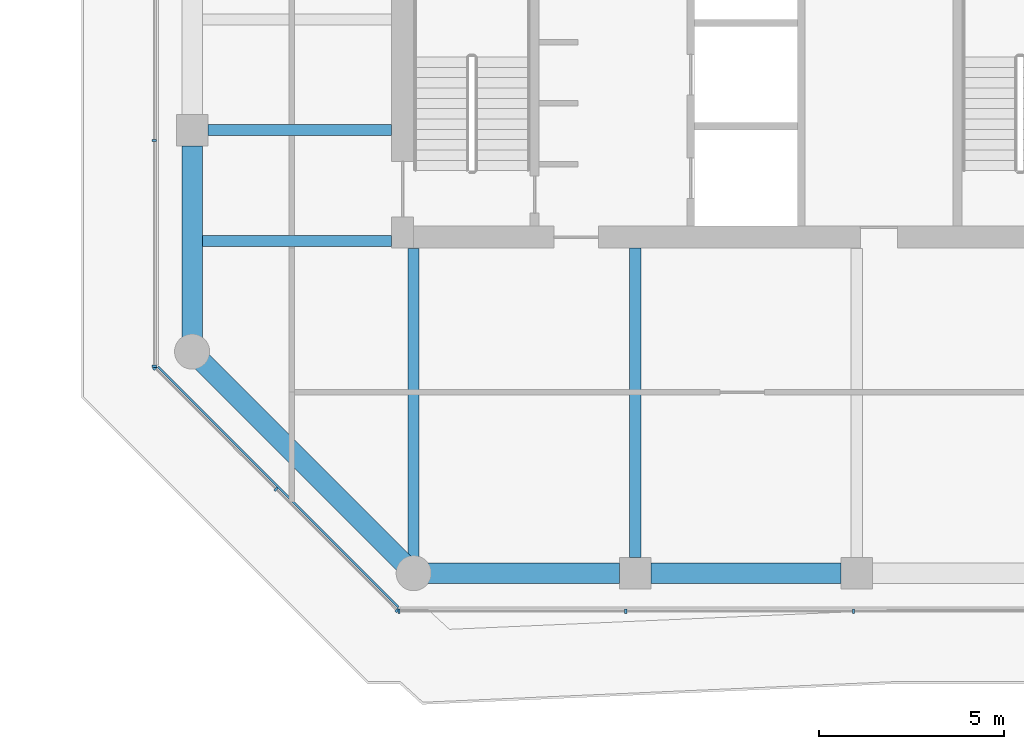
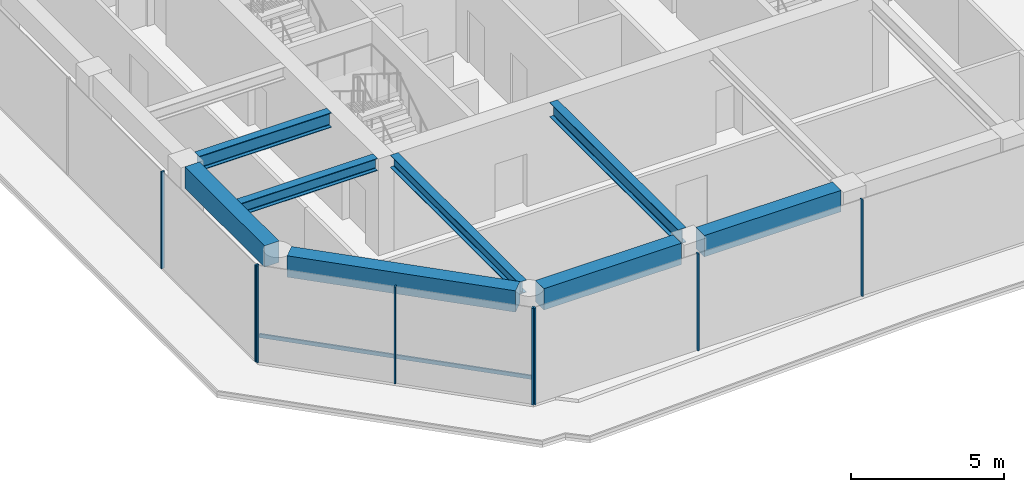
# One storey, part 2 of 21: 9 members, 8 beams, 3 elements without a shape of their own.
"""IFC4 building model written with IfcOpenShell, lengths in metres."""

from ifc_helpers import new_model, si_unit, direction, frame, origin, origin_2d, place, context, subcontext, project, spatial, rectangle, i_section, extrude, material, layer, layer_set, material_profile, profile_set, type_object, element, aggregate, save


model = new_model("IFC4")

# Units and contexts
model_context = context("Model", 3, precision=1e-05, world=origin(), true_north=direction((0.0, 1.0)))
body_context = subcontext(model_context, "Body", "Model", "MODEL_VIEW")
ifc_project = project(units=[si_unit("LENGTHUNIT", "METRE"), si_unit("AREAUNIT", "SQUARE_METRE"), si_unit("VOLUMEUNIT", "CUBIC_METRE"), si_unit("PLANEANGLEUNIT", "RADIAN"), si_unit("MASSUNIT", "GRAM", prefix="KILO")], contexts=[model_context])

# Site, building, storey
site_placement = place(None, origin())
site = spatial("IfcSite", under=ifc_project, at=site_placement, CompositionType="ELEMENT")
building_placement = place(site_placement, origin())
building = spatial("IfcBuilding", under=site, at=building_placement, Name="Welwitschia Terrace Campus", CompositionType="ELEMENT")
storey_placement = place(building_placement, frame((0.0, 0.0, 180.199951171875)))
storey = spatial("IfcBuildingStorey", under=building, at=storey_placement, Name="L40", CompositionType="ELEMENT", Elevation=180.199951171875)

# Beams
ifc_material_1 = material(Name="Steel S355", Category="steel")
ifc_material_profile_1 = material_profile(ifc_material_1, i_section(OverallWidth=0.300048828125, OverallDepth=0.489990234375, WebThickness=0.011962890625, FlangeThickness=0.02294921875, FilletRadius=0.027099609375, at=origin_2d()))
ifc_profile_set_1 = profile_set([ifc_material_profile_1], Name="Steel S355")
beam_type_1 = type_object("IfcBeamType", Name="Interior girder HE 500 A", PredefinedType="BEAM", material=ifc_profile_set_1)
beam_1_placement = place(storey_placement, frame((-0.010009765625, 5.0, 3.60498046875), z_axis=(1.0, 0.0, 0.0), x_axis=(0.0, 1.0, 0.0)))
element("IfcBeam", 1, at=beam_1_placement, inside=storey, type_object=beam_type_1, Name="Girder GB4", PredefinedType="BEAM", context=body_context, shape_type="SweptSolid", body=[
    extrude(i_section(OverallWidth=0.300048828125, OverallDepth=0.489990234375, WebThickness=0.011962890625, FlangeThickness=0.02294921875, FilletRadius=0.027099609375, at=origin_2d()), origin(), (0.0, 0.0, 1.0), 5.408935546875),
])
beam_2_placement = place(storey_placement, frame((6.0, -3.55859375, 3.60498046875), z_axis=(0.0, 1.0, 0.0), x_axis=(-1.0, 0.0, 0.0)))
element("IfcBeam", 2, at=beam_2_placement, inside=storey, type_object=beam_type_1, Name="Girder GB4", PredefinedType="BEAM", context=body_context, shape_type="SweptSolid", body=[
    extrude(i_section(OverallWidth=0.300048828125, OverallDepth=0.489990234375, WebThickness=0.011962890625, FlangeThickness=0.02294921875, FilletRadius=0.027099609375, at=origin_2d()), origin(), (0.0, 0.0, 1.0), 8.357666015625),
])

# Curtain wall, members
ifc_material_2 = material(Name="Bronze anodised aluminium", Category="aluminium")
ifc_layer = layer(ifc_material_2, 0.1201171875)
ifc_layer_set = layer_set([ifc_layer], Name="Bronze anodised aluminium")
curtain_wall_type = type_object("IfcCurtainWallType", Name="Curtain wall CW2 tower 6000", PredefinedType="NOTDEFINED", material=ifc_layer_set)
curtain_wall_1_placement = place(storey_placement, origin())
curtain_wall_1 = element("IfcCurtainWall", 3, at=curtain_wall_1_placement, inside=storey, type_object=curtain_wall_type, Name="CW L40.0.0", PredefinedType="NOTDEFINED")
ifc_material_3 = material(Name="Bronze anodised aluminium", Category="aluminium")
ifc_material_profile_2 = material_profile(ifc_material_3, rectangle(XDim=0.1201171875, YDim=0.06005859375, at=origin_2d()))
ifc_profile_set_2 = profile_set([ifc_material_profile_2], Name="Bronze anodised aluminium")
member_type_1 = type_object("IfcMemberType", Name="Mullion 60x120", PredefinedType="MULLION", material=ifc_profile_set_2)
member_1_placement = place(storey_placement, frame((-1.0087890625, 1.55224609375, 0.0), z_axis=(0.0, 0.0, 1.0), x_axis=(0.707106781187, 0.707106781187, 0.0)))
member_1 = element("IfcMember", 4, at=member_1_placement, type_object=member_type_1, Name="Mullion L40.0.0.0", PredefinedType="MULLION", context=body_context, shape_type="SweptSolid", body=[
    extrude(rectangle(XDim=0.1201171875, YDim=0.06005859375, at=origin_2d()), origin(), (0.0, 0.0, 1.0), 3.85009765625),
])
member_2_placement = place(storey_placement, frame((2.271728515625, -1.728271484375, 0.0), z_axis=(0.0, 0.0, 1.0), x_axis=(0.707106781187, 0.707106781187, 0.0)))
member_2 = element("IfcMember", 5, at=member_2_placement, type_object=member_type_1, Name="Mullion L40.0.0.1", PredefinedType="MULLION", context=body_context, shape_type="SweptSolid", body=[
    extrude(rectangle(XDim=0.1201171875, YDim=0.06005859375, at=origin_2d()), origin(), (0.0, 0.0, 1.0), 3.85009765625),
])
member_3_placement = place(storey_placement, frame((5.55224609375, -5.0087890625, 0.0), z_axis=(0.0, 0.0, 1.0), x_axis=(0.707106781187, 0.707106781187, 0.0)))
member_3 = element("IfcMember", 6, at=member_3_placement, type_object=member_type_1, Name="Mullion L40.0.0.2", PredefinedType="MULLION", context=body_context, shape_type="SweptSolid", body=[
    extrude(rectangle(XDim=0.1201171875, YDim=0.06005859375, at=origin_2d()), origin(), (0.0, 0.0, 1.0), 3.85009765625),
])

curtain_wall_2_placement = place(storey_placement, origin())
curtain_wall_2 = element("IfcCurtainWall", 7, at=curtain_wall_2_placement, inside=storey, type_object=curtain_wall_type, Name="CW L40.1.0", PredefinedType="NOTDEFINED")
member_4_placement = place(storey_placement, frame((5.603271484375, -5.030029296875, 0.0), z_axis=(0.0, 0.0, 1.0), x_axis=(0.0, 1.0, 0.0)))
member_4 = element("IfcMember", 8, at=member_4_placement, type_object=member_type_1, Name="Mullion L40.1.0.0", PredefinedType="MULLION", context=body_context, shape_type="SweptSolid", body=[
    extrude(rectangle(XDim=0.1201171875, YDim=0.06005859375, at=origin_2d()), origin(), (0.0, 0.0, 1.0), 3.85009765625),
])
member_5_placement = place(storey_placement, frame((11.743896484375, -5.030029296875, 0.0), z_axis=(0.0, 0.0, 1.0), x_axis=(0.0, 1.0, 0.0)))
member_5 = element("IfcMember", 9, at=member_5_placement, type_object=member_type_1, Name="Mullion L40.1.0.1", PredefinedType="MULLION", context=body_context, shape_type="SweptSolid", body=[
    extrude(rectangle(XDim=0.1201171875, YDim=0.06005859375, at=origin_2d()), origin(), (0.0, 0.0, 1.0), 3.85009765625),
])
member_6_placement = place(storey_placement, frame((17.91455078125, -5.030029296875, 0.0), z_axis=(0.0, 0.0, 1.0), x_axis=(0.0, 1.0, 0.0)))
member_6 = element("IfcMember", 10, at=member_6_placement, type_object=member_type_1, Name="Mullion L40.1.0.2", PredefinedType="MULLION", context=body_context, shape_type="SweptSolid", body=[
    extrude(rectangle(XDim=0.1201171875, YDim=0.06005859375, at=origin_2d()), origin(), (0.0, 0.0, 1.0), 3.85009765625),
])
aggregate(curtain_wall_2, [member_4, member_5, member_6])

curtain_wall_3_placement = place(storey_placement, origin())
curtain_wall_3 = element("IfcCurtainWall", 11, at=curtain_wall_3_placement, inside=storey, type_object=curtain_wall_type, Name="CW L40.10.6", PredefinedType="NOTDEFINED")
member_7_placement = place(storey_placement, frame((-1.030029296875, 7.718994140625, 0.0), z_axis=(0.0, 0.0, 1.0), x_axis=(1.0, 0.0, 0.0)))
member_7 = element("IfcMember", 12, at=member_7_placement, type_object=member_type_1, Name="Mullion L40.10.6.3", PredefinedType="MULLION", context=body_context, shape_type="SweptSolid", body=[
    extrude(rectangle(XDim=0.1201171875, YDim=0.06005859375, at=origin_2d()), origin(), (0.0, 0.0, 1.0), 3.85009765625),
])
member_8_placement = place(storey_placement, frame((-1.030029296875, 1.603271484375, 0.0), z_axis=(0.0, 0.0, 1.0), x_axis=(1.0, 0.0, 0.0)))
member_8 = element("IfcMember", 13, at=member_8_placement, type_object=member_type_1, Name="Mullion L40.10.6.4", PredefinedType="MULLION", context=body_context, shape_type="SweptSolid", body=[
    extrude(rectangle(XDim=0.1201171875, YDim=0.06005859375, at=origin_2d()), origin(), (0.0, 0.0, 1.0), 3.85009765625),
])
aggregate(curtain_wall_3, [member_7, member_8])

# Beams
ifc_material_4 = material(Name="Steel S355", Category="steel")
ifc_material_profile_3 = material_profile(ifc_material_4, i_section(OverallWidth=0.300048828125, OverallDepth=0.590087890625, WebThickness=0.012939453125, FlangeThickness=0.02490234375, FilletRadius=0.027099609375, at=origin_2d()))
ifc_profile_set_3 = profile_set([ifc_material_profile_3], Name="Steel S355")
beam_type_2 = type_object("IfcBeamType", Name="Primary beam HE 600 A", PredefinedType="BEAM", material=ifc_profile_set_3)
beam_3_placement = place(storey_placement, frame((12.0, -3.574462890625, 3.554931640625), z_axis=(0.0, 1.0, 0.0), x_axis=(-1.0, 0.0, 0.0)))
element("IfcBeam", 14, at=beam_3_placement, inside=storey, type_object=beam_type_2, Name="Primary beam PB4", PredefinedType="BEAM", context=body_context, shape_type="SweptSolid", body=[
    extrude(i_section(OverallWidth=0.300048828125, OverallDepth=0.590087890625, WebThickness=0.012939453125, FlangeThickness=0.02490234375, FilletRadius=0.027099609375, at=origin_2d()), origin(), (0.0, 0.0, 1.0), 8.37451171875),
])
beam_4_placement = place(storey_placement, frame((0.425537109375, 8.0, 3.554931640625), z_axis=(1.0, 0.0, 0.0), x_axis=(0.0, 1.0, 0.0)))
element("IfcBeam", 15, at=beam_4_placement, inside=storey, type_object=beam_type_2, Name="Primary beam PB4", PredefinedType="BEAM", context=body_context, shape_type="SweptSolid", body=[
    extrude(i_section(OverallWidth=0.300048828125, OverallDepth=0.590087890625, WebThickness=0.012939453125, FlangeThickness=0.02490234375, FilletRadius=0.027099609375, at=origin_2d()), origin(), (0.0, 0.0, 1.0), 4.974365234375),
])
ifc_material_5 = material(Name="Concrete C50/60", Category="concrete")
ifc_material_profile_4 = material_profile(ifc_material_5, rectangle(XDim=0.550048828125, YDim=0.85009765625, at=origin_2d()))
ifc_profile_set_4 = profile_set([ifc_material_profile_4], Name="Concrete C50/60")
beam_type_3 = type_object("IfcBeamType", Name="Ring spandrel 550x850", PredefinedType="SPANDREL", material=ifc_profile_set_4)
beam_5_placement = place(storey_placement, frame((0.2744140625, 1.7255859375, 3.425048828125), z_axis=(0.707106781187, -0.707106781187, 0.0), x_axis=(0.707106781187, 0.707106781187, 0.0)))
element("IfcBeam", 16, at=beam_5_placement, inside=storey, type_object=beam_type_3, Name="Spandrel SP3", PredefinedType="SPANDREL", context=body_context, shape_type="SweptSolid", body=[
    extrude(rectangle(XDim=0.550048828125, YDim=0.85009765625, at=origin_2d()), origin(), (0.0, 0.0, 1.0), 7.709228515625),
])
beam_6_placement = place(storey_placement, frame((6.387939453125, -4.0, 3.425048828125), z_axis=(1.0, 0.0, 0.0), x_axis=(0.0, 1.0, 0.0)))
element("IfcBeam", 17, at=beam_6_placement, inside=storey, type_object=beam_type_3, Name="Spandrel SP3", PredefinedType="SPANDREL", context=body_context, shape_type="SweptSolid", body=[
    extrude(rectangle(XDim=0.550048828125, YDim=0.85009765625, at=origin_2d()), origin(), (0.0, 0.0, 1.0), 5.1865234375),
])
beam_7_placement = place(storey_placement, frame((12.425537109375, -4.0, 3.425048828125), z_axis=(1.0, 0.0, 0.0), x_axis=(0.0, 1.0, 0.0)))
element("IfcBeam", 18, at=beam_7_placement, inside=storey, type_object=beam_type_3, Name="Spandrel SP3", PredefinedType="SPANDREL", context=body_context, shape_type="SweptSolid", body=[
    extrude(rectangle(XDim=0.550048828125, YDim=0.85009765625, at=origin_2d()), origin(), (0.0, 0.0, 1.0), 5.14892578125),
])
beam_8_placement = place(storey_placement, frame((0.0, 7.574462890625, 3.425048828125), z_axis=(0.0, -1.0, 0.0), x_axis=(1.0, 0.0, 0.0)))
element("IfcBeam", 19, at=beam_8_placement, inside=storey, type_object=beam_type_3, Name="Spandrel SP3", PredefinedType="SPANDREL", context=body_context, shape_type="SweptSolid", body=[
    extrude(rectangle(XDim=0.550048828125, YDim=0.85009765625, at=origin_2d()), origin(), (0.0, 0.0, 1.0), 5.1865234375),
])

# Member
ifc_material_6 = material(Name="Bronze anodised aluminium", Category="aluminium")
ifc_material_profile_5 = material_profile(ifc_material_6, rectangle(XDim=0.06005859375, YDim=0.14990234375, at=origin_2d()))
ifc_profile_set_5 = profile_set([ifc_material_profile_5], Name="Bronze anodised aluminium")
member_type_2 = type_object("IfcMemberType", Name="Transom 60x150", PredefinedType="USERDEFINED", material=ifc_profile_set_5)
member_9_placement = place(storey_placement, frame((-0.923828125, 1.594482421875, 1.0), z_axis=(0.707106781187, -0.707106781187, 0.0), x_axis=(0.707106781187, 0.707106781187, 0.0)))
member_9 = element("IfcMember", 20, at=member_9_placement, type_object=member_type_2, Name="Transom L40.0.0", ObjectType="TRANSOM", PredefinedType="USERDEFINED", context=body_context, shape_type="SweptSolid", body=[
    extrude(rectangle(XDim=0.06005859375, YDim=0.14990234375, at=origin_2d()), origin(), (0.0, 0.0, 1.0), 9.21826171875),
])

aggregate(curtain_wall_1, [member_1, member_2, member_3, member_9])

save(model, "model.ifc")
